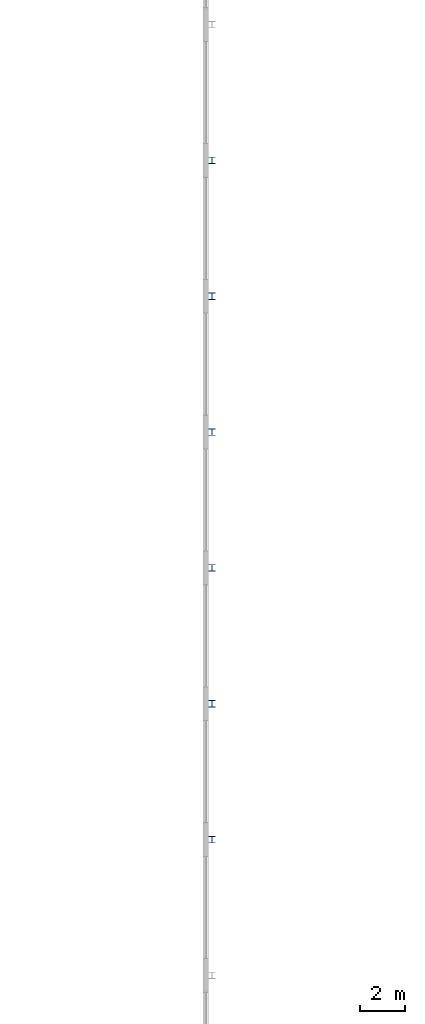
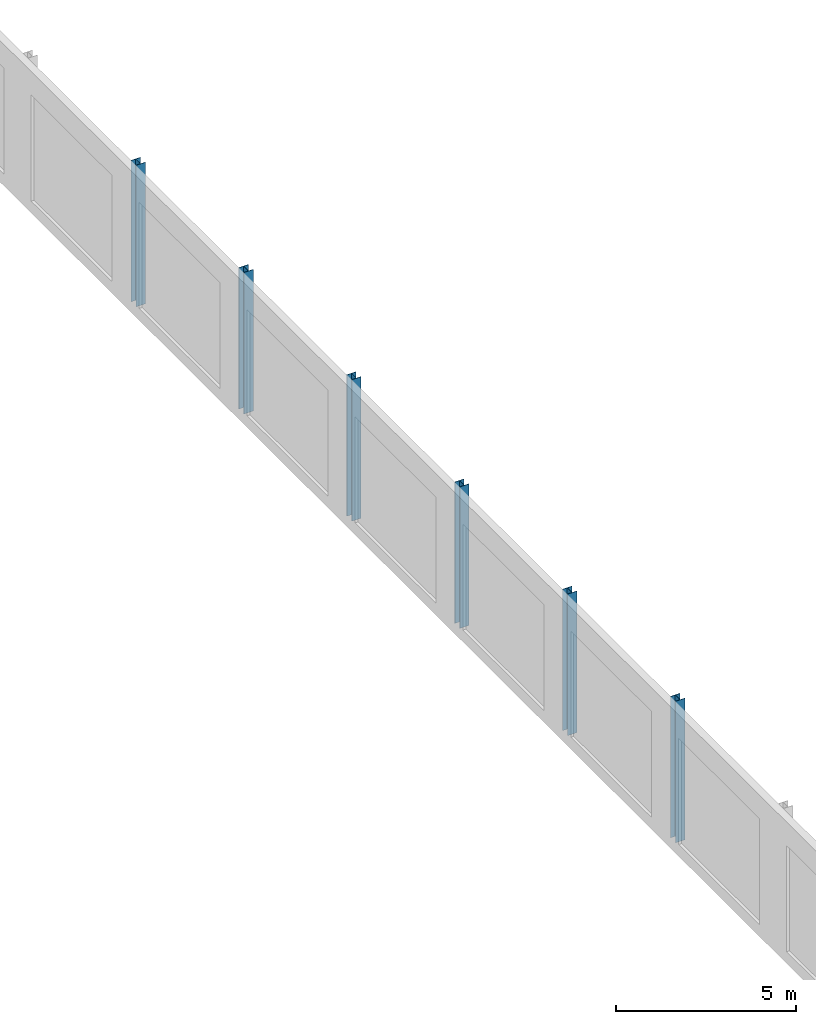
# One storey, part 19 of 182: 6 columns.
"""IFC4 building model written with IfcOpenShell, lengths in metres."""

from ifc_helpers import new_model, si_unit, direction, frame, origin, origin_2d, place, context, subcontext, project, spatial, i_section, extrude, material, material_profile, profile_set, type_object, element, save


model = new_model("IFC4")

# Units and contexts
model_context = context("Model", 3, precision=1e-05, world=origin(), true_north=direction((0.0, 1.0)))
body_context = subcontext(model_context, "Body", "Model", "MODEL_VIEW")
ifc_project = project(units=[si_unit("LENGTHUNIT", "METRE"), si_unit("AREAUNIT", "SQUARE_METRE"), si_unit("VOLUMEUNIT", "CUBIC_METRE"), si_unit("PLANEANGLEUNIT", "RADIAN"), si_unit("MASSUNIT", "GRAM", prefix="KILO")], contexts=[model_context])

# Site, building, storey
site_placement = place(None, origin())
site = spatial("IfcSite", under=ifc_project, at=site_placement, CompositionType="ELEMENT")
building_placement = place(site_placement, origin())
building = spatial("IfcBuilding", under=site, at=building_placement, Name="Okhra Congress Centre", CompositionType="ELEMENT")
storey_placement = place(building_placement, frame((0.0, 0.0, 7.199951171875)))
storey = spatial("IfcBuildingStorey", under=building, at=storey_placement, Name="L01", CompositionType="ELEMENT", Elevation=7.199951171875)

# Columns
ifc_material = material(Name="Steel S355J2", Category="steel")
ifc_material_profile = material_profile(ifc_material, i_section(OverallWidth=0.300048828125, OverallDepth=0.2900390625, WebThickness=0.008544921875, FlangeThickness=0.013916015625, at=origin_2d()), Name="HE 300 A")
ifc_profile_set = profile_set([ifc_material_profile], Name="Steel S355J2")
column_type = type_object("IfcColumnType", Name="HE 300 A", PredefinedType="COLUMN", material=ifc_profile_set)
for number, where, z_axis, x_axis, name in (
    (1, (29.125, 156.0, 0.0), (0.0, 0.0, 1.0), (1.0, 0.0, 0.0), "EH.COL.L01.WP21"),
    (2, (29.125, 162.0, 0.0), (0.0, 0.0, 1.0), (1.0, 0.0, 0.0), "EH.COL.L01.WP23"),
    (3, (29.125, 168.0, 0.0), (0.0, 0.0, 1.0), (1.0, 0.0, 0.0), "EH.COL.L01.WP25"),
    (4, (29.125, 174.0, 0.0), (0.0, 0.0, 1.0), (1.0, 0.0, 0.0), "EH.COL.L01.WP27"),
    (5, (29.125, 180.0, 0.0), (0.0, 0.0, 1.0), (1.0, 0.0, 0.0), "EH.COL.L01.WP29"),
    (6, (29.125, 186.0, 0.0), (0.0, 0.0, 1.0), (1.0, 0.0, 0.0), "EH.COL.L01.WP31"),
):
    element("IfcColumn", number, at=place(storey_placement, frame(where, z_axis=z_axis, x_axis=x_axis)), inside=storey, type_object=column_type, Name=name, PredefinedType="COLUMN", context=body_context, shape_type="SweptSolid", body=[
        extrude(i_section(OverallWidth=0.300048828125, OverallDepth=0.2900390625, WebThickness=0.008544921875, FlangeThickness=0.013916015625, at=origin_2d()), origin(), (0.0, 0.0, 1.0), 4.800048828125),
    ])

save(model, "model.ifc")
